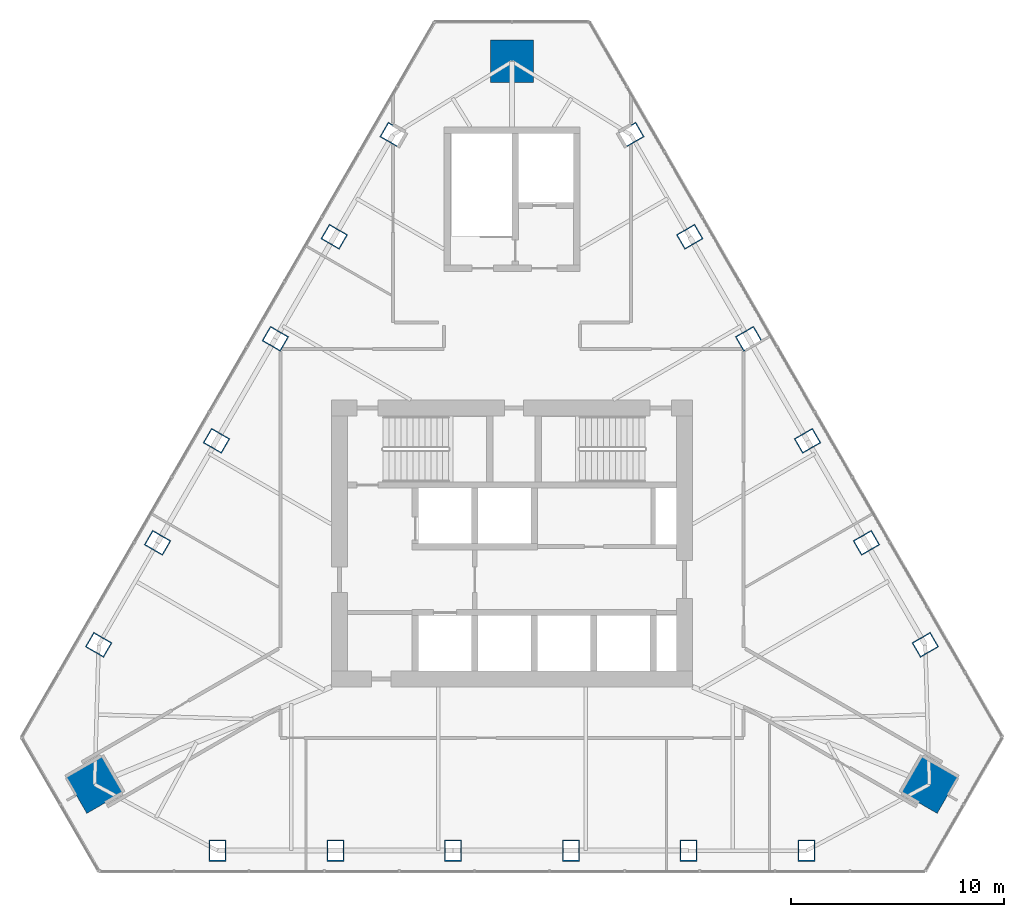
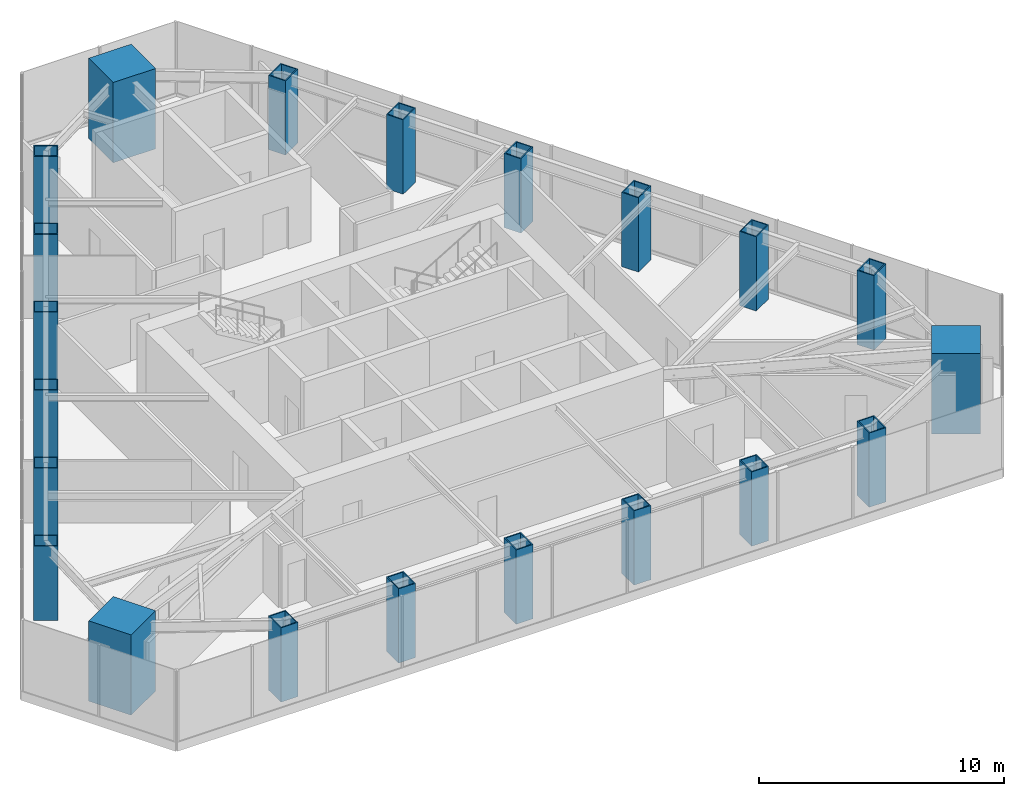
# One storey, part 1 of 13: 21 columns.
"""IFC4 building model written with IfcOpenShell, lengths in metres."""

from ifc_helpers import new_model, si_unit, direction, frame, origin, origin_2d, place, context, subcontext, project, spatial, rectangle, hollow_rectangle, extrude, material, material_profile, profile_set, type_object, element, save


model = new_model("IFC4")

# Units and contexts
model_context = context("Model", 3, precision=1e-05, world=origin(), true_north=direction((0.0, 1.0)))
body_context = subcontext(model_context, "Body", "Model", "MODEL_VIEW")
ifc_project = project(units=[si_unit("LENGTHUNIT", "METRE"), si_unit("AREAUNIT", "SQUARE_METRE"), si_unit("VOLUMEUNIT", "CUBIC_METRE"), si_unit("PLANEANGLEUNIT", "RADIAN"), si_unit("MASSUNIT", "GRAM", prefix="KILO")], contexts=[model_context])

# Site, building, storey
site_placement = place(None, origin())
site = spatial("IfcSite", under=ifc_project, at=site_placement, CompositionType="ELEMENT")
building_placement = place(site_placement, origin())
building = spatial("IfcBuilding", under=site, at=building_placement, Name="Firuza Gate Tower and Library", CompositionType="ELEMENT")
storey_placement = place(building_placement, frame((0.0, 0.0, 335.60009765625)))
storey = spatial("IfcBuildingStorey", under=building, at=storey_placement, Name="L82", CompositionType="ELEMENT", Elevation=335.60009765625)

# Columns
ifc_material_1 = material(Name="Steel S355", Category="steel")
ifc_material_profile_1 = material_profile(ifc_material_1, hollow_rectangle(XDim=0.800048828125, YDim=1.0, WallThickness=0.050048828125, at=origin_2d()))
ifc_profile_set_1 = profile_set([ifc_material_profile_1], Name="Steel S355")
column_type_1 = type_object("IfcColumnType", Name="BU1000x800x50 Composite box column", PredefinedType="COLUMN", material=ifc_profile_set_1)
for number, where, z_axis, x_axis, name in (
    (1, (61.142822265625, 60.54248046875, -0.00048828125), (0.0, 0.0, 1.0), (1.0, 0.0, 0.0), "Column S1 L82"),
    (2, (66.685791015625, 60.54248046875, -0.00048828125), (0.0, 0.0, 1.0), (1.0, 0.0, 0.0), "Column S2 L82"),
    (3, (72.228515625, 60.54248046875, -0.00048828125), (0.0, 0.0, 1.0), (1.0, 0.0, 0.0), "Column S3 L82"),
    (4, (77.771484375, 60.54248046875, -0.00048828125), (0.0, 0.0, 1.0), (1.0, 0.0, 0.0), "Column S4 L82"),
    (5, (83.314208984375, 60.54248046875, -0.00048828125), (0.0, 0.0, 1.0), (1.0, 0.0, 0.0), "Column S5 L82"),
    (6, (88.857177734375, 60.54248046875, -0.00048828125), (0.0, 0.0, 1.0), (1.0, 0.0, 0.0), "Column S6 L82"),
    (7, (94.44921875, 70.22802734375, -0.00048828125), (0.0, 0.0, 1.0), (-0.5, 0.866025403784, 0.0), "Column E1 L82"),
    (8, (91.677734375, 75.0283203125, -0.00048828125), (0.0, 0.0, 1.0), (-0.5, 0.866025403784, 0.0), "Column E2 L82"),
    (9, (88.90625, 79.82861328125, -0.00048828125), (0.0, 0.0, 1.0), (-0.5, 0.866025403784, 0.0), "Column E3 L82"),
    (10, (86.134765625, 84.62890625, -0.00048828125), (0.0, 0.0, 1.0), (-0.5, 0.866025403784, 0.0), "Column E4 L82"),
    (11, (83.363525390625, 89.42919921875, -0.00048828125), (0.0, 0.0, 1.0), (-0.5, 0.866025403784, 0.0), "Column E5 L82"),
    (12, (80.592041015625, 94.2294921875, -0.00048828125), (0.0, 0.0, 1.0), (-0.5, 0.866025403784, 0.0), "Column E6 L82"),
    (13, (69.407958984375, 94.2294921875, -0.00048828125), (0.0, 0.0, 1.0), (-0.5, -0.866025403784, 0.0), "Column W1 L82"),
    (14, (66.636474609375, 89.42919921875, -0.00048828125), (0.0, 0.0, 1.0), (-0.5, -0.866025403784, 0.0), "Column W2 L82"),
    (15, (63.865234375, 84.62890625, -0.00048828125), (0.0, 0.0, 1.0), (-0.5, -0.866025403784, 0.0), "Column W3 L82"),
    (16, (61.09375, 79.82861328125, -0.00048828125), (0.0, 0.0, 1.0), (-0.5, -0.866025403784, 0.0), "Column W4 L82"),
    (17, (58.322265625, 75.0283203125, -0.00048828125), (0.0, 0.0, 1.0), (-0.5, -0.866025403784, 0.0), "Column W5 L82"),
    (18, (55.55078125, 70.22802734375, -0.00048828125), (0.0, 0.0, 1.0), (-0.5, -0.866025403784, 0.0), "Column W6 L82"),
):
    element("IfcColumn", number, at=place(storey_placement, frame(where, z_axis=z_axis, x_axis=x_axis)), inside=storey, type_object=column_type_1, Name=name, PredefinedType="COLUMN", context=body_context, shape_type="SweptSolid", body=[
        extrude(hollow_rectangle(XDim=0.800048828125, YDim=1.0, WallThickness=0.050048828125, at=origin_2d()), origin(), (0.0, 0.0, 1.0), 3.70068359375),
    ])
ifc_material_2 = material(Name="Concrete C80/95", Category="concrete")
ifc_material_profile_2 = material_profile(ifc_material_2, rectangle(XDim=2.0, YDim=2.0, at=origin_2d()))
ifc_profile_set_2 = profile_set([ifc_material_profile_2], Name="Concrete C80/95")
column_type_2 = type_object("IfcColumnType", Name="Mega column 2000x2000 C80/95", PredefinedType="COLUMN", material=ifc_profile_set_2)
for number, where, z_axis, x_axis, name in (
    (19, (94.64111328125, 63.66015625, 0.0), (0.0, 0.0, 1.0), (0.5, 0.866025403784, 0.0), "Mega column SE L82"),
    (20, (75.0, 97.6796875, 0.0), (0.0, 0.0, 1.0), (-1.0, 0.0, 0.0), "Mega column N L82"),
    (21, (55.35888671875, 63.66015625, 0.0), (0.0, 0.0, 1.0), (0.5, -0.866025403784, 0.0), "Mega column SW L82"),
):
    element("IfcColumn", number, at=place(storey_placement, frame(where, z_axis=z_axis, x_axis=x_axis)), inside=storey, type_object=column_type_2, Name=name, PredefinedType="COLUMN", context=body_context, shape_type="SweptSolid", body=[
        extrude(rectangle(XDim=2.0, YDim=2.0, at=origin_2d()), origin(), (0.0, 0.0, 1.0), 4.0),
    ])

save(model, "model.ifc")
